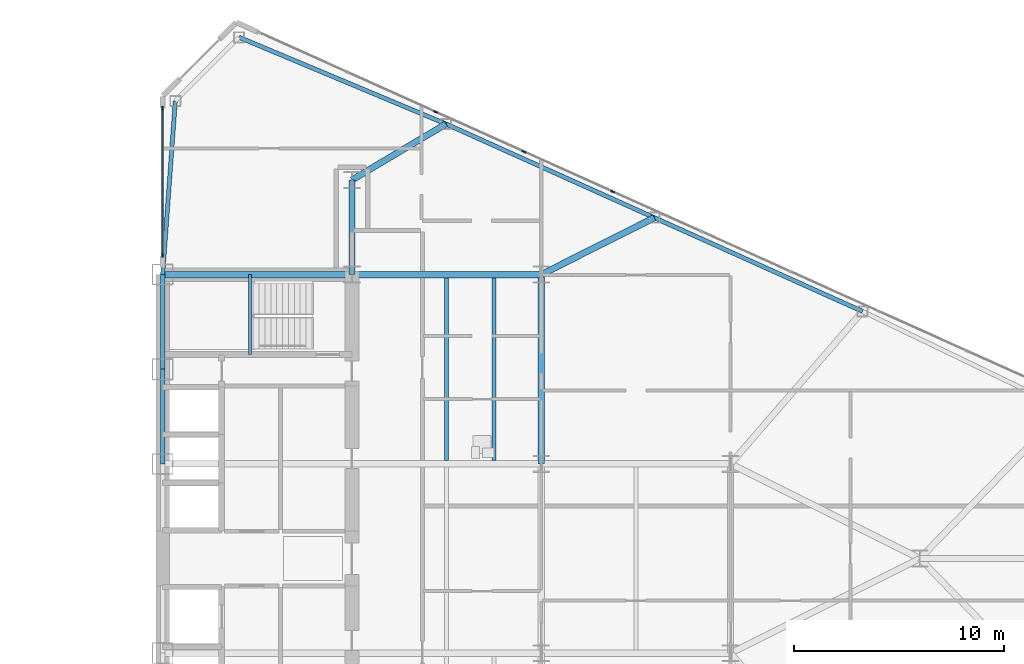
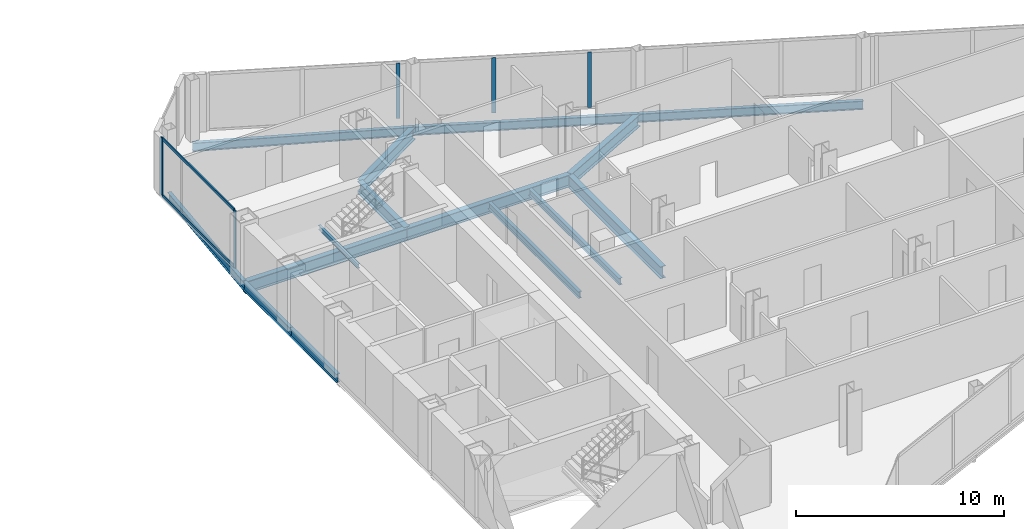
# One storey, part 13 of 27: 15 beams, 7 members, 2 elements without a shape of their own.
"""IFC4 building model written with IfcOpenShell, lengths in metres."""

from ifc_helpers import new_model, si_unit, direction, frame, origin, origin_2d, place, context, subcontext, project, spatial, rectangle, i_section, extrude, source, transform, mapped, material, layer, layer_set, material_profile, profile_set, type_object, type_shapes, element, aggregate, save


model = new_model("IFC4")

# Units and contexts
model_context = context("Model", 3, precision=1e-05, world=origin(), true_north=direction((0.0, 1.0)))
body_context = subcontext(model_context, "Body", "Model", "MODEL_VIEW")
ifc_project = project(units=[si_unit("LENGTHUNIT", "METRE"), si_unit("AREAUNIT", "SQUARE_METRE"), si_unit("VOLUMEUNIT", "CUBIC_METRE"), si_unit("PLANEANGLEUNIT", "RADIAN"), si_unit("MASSUNIT", "GRAM", prefix="KILO")], contexts=[model_context])

# Site, building, storey
site_placement = place(None, origin())
site = spatial("IfcSite", under=ifc_project, at=site_placement, CompositionType="ELEMENT")
building_placement = place(site_placement, origin())
building = spatial("IfcBuilding", under=site, at=building_placement, Name="Seokmaru Belvedere", CompositionType="ELEMENT")
storey_placement = place(building_placement, frame((0.0, 0.0, 106.800048828125)))
storey = spatial("IfcBuildingStorey", under=building, at=storey_placement, Name="L28", CompositionType="ELEMENT", Elevation=106.800048828125)

# Beams
ifc_material_1 = material(Name="Steel SM355 (355 MPa)", Category="steel")
ifc_material_profile_1 = material_profile(ifc_material_1, i_section(OverallWidth=0.199951171875, OverallDepth=0.5, WebThickness=0.010009765625, FlangeThickness=0.01611328125, at=origin_2d()), Name="H-500x200x10x16")
ifc_profile_set_1 = profile_set([ifc_material_profile_1], Name="Steel SM355 (355 MPa)")
beam_type_1 = type_object("IfcBeamType", Name="Perimeter Spandrel Beam H-500", PredefinedType="SPANDREL", material=ifc_profile_set_1)
shared_shape_1 = source(origin(), body_context, "Body", "SweptSolid", [
    extrude(i_section(OverallWidth=0.199951171875, OverallDepth=0.5, WebThickness=0.010009765625, FlangeThickness=0.01611328125, at=origin_2d()), origin(), (0.0, 0.0, 1.0), 4.5),
])
for number, where, z_axis, x_axis, name in (
    (1, (27.5, 4.5, -0.469970703125), (0.0, 1.0, 0.0), (-1.0, 0.0, 0.0), "L28 E Portal Spine Spandrel 4"),
    (2, (27.5, 9.0, -0.469970703125), (0.0, 1.0, 0.0), (-1.0, 0.0, 0.0), "L28 E Portal Spine Spandrel 5"),
):
    element("IfcBeam", number, at=place(storey_placement, frame(where, z_axis=z_axis, x_axis=x_axis)), inside=storey, type_object=beam_type_1, Name=name, PredefinedType="SPANDREL", context=body_context, shape_type="MappedRepresentation", body=[
        mapped(shared_shape_1, transform((0.0, 0.0, 0.0), scale=1.0)),
    ])
ifc_material_profile_2 = material_profile(ifc_material_1, i_section(OverallWidth=0.300048828125, OverallDepth=0.699951171875, WebThickness=0.012939453125, FlangeThickness=0.02392578125, at=origin_2d()), Name="H-700x300x13x24")
ifc_profile_set_2 = profile_set([ifc_material_profile_2], Name="Steel SM355 (355 MPa)")
beam_type_2 = type_object("IfcBeamType", Name="Primary Floor Girder H-700", PredefinedType="BEAM", material=ifc_profile_set_2)
shared_shape_2 = source(origin(), body_context, "Body", "SweptSolid", [
    extrude(i_section(OverallWidth=0.300048828125, OverallDepth=0.699951171875, WebThickness=0.012939453125, FlangeThickness=0.02392578125, at=origin_2d()), origin(), (0.0, 0.0, 1.0), 4.5),
])
beam_1_placement = place(storey_placement, frame((36.5, 13.5, -0.570068359375), z_axis=(0.0, 1.0, 0.0), x_axis=(-1.0, 0.0, 0.0)))
element("IfcBeam", 3, at=beam_1_placement, inside=storey, type_object=beam_type_2, Name="L28 E Core Shoulder Girder N", PredefinedType="BEAM", context=body_context, shape_type="MappedRepresentation", body=[
    mapped(shared_shape_2, transform((0.0, 0.0, 0.0), scale=1.0)),
])
shared_shape_3 = source(origin(), body_context, "Body", "SweptSolid", [
    extrude(i_section(OverallWidth=0.300048828125, OverallDepth=0.699951171875, WebThickness=0.012939453125, FlangeThickness=0.02392578125, at=origin_2d()), origin(), (0.0, 0.0, 1.0), 9.0),
])
for number, where, z_axis, x_axis, name in (
    (4, (45.5, 4.5, -0.570068359375), (0.0, 1.0, 0.0), (-1.0, 0.0, 0.0), "L28 E Interior Grid Girder 3"),
    (5, (27.5, 13.5, -0.570068359375), (1.0, 0.0, 0.0), (0.0, 1.0, 0.0), "L28 E Core Tie Girder 4"),
    (6, (36.5, 13.5, -0.570068359375), (1.0, 0.0, 0.0), (0.0, 1.0, 0.0), "L28 E Wing Primary Girder 4"),
):
    element("IfcBeam", number, at=place(storey_placement, frame(where, z_axis=z_axis, x_axis=x_axis)), inside=storey, type_object=beam_type_2, Name=name, PredefinedType="BEAM", context=body_context, shape_type="MappedRepresentation", body=[
        mapped(shared_shape_3, transform((0.0, 0.0, 0.0), scale=1.0)),
    ])
ifc_material_profile_3 = material_profile(ifc_material_1, i_section(OverallWidth=0.18505859375, OverallDepth=0.389892578125, WebThickness=0.008056640625, FlangeThickness=0.011962890625, at=origin_2d()), Name="H-390x185x8x12")
ifc_profile_set_3 = profile_set([ifc_material_profile_3], Name="Steel SM355 (355 MPa)")
beam_type_3 = type_object("IfcBeamType", Name="Secondary Floor Joist H-350", PredefinedType="JOIST", material=ifc_profile_set_3)
shared_shape_4 = source(origin(), body_context, "Body", "SweptSolid", [
    extrude(i_section(OverallWidth=0.18505859375, OverallDepth=0.389892578125, WebThickness=0.008056640625, FlangeThickness=0.011962890625, at=origin_2d()), origin(), (0.0, 0.0, 1.0), 8.68994140625),
])
type_shapes(beam_type_3, [shared_shape_4])
for number, where, z_axis, x_axis, name in (
    (7, (43.25, 4.655029296875, -0.4150390625), (0.0, 1.0, 0.0), (-1.0, 0.0, 0.0), "L28 E Wing Inner Secondary Joist 2"),
    (8, (41.0, 4.655029296875, -0.4150390625), (0.0, 1.0, 0.0), (-1.0, 0.0, 0.0), "L28 E Secondary Floor Joist 3"),
):
    element("IfcBeam", number, at=place(storey_placement, frame(where, z_axis=z_axis, x_axis=x_axis)), inside=storey, type_object=beam_type_3, Name=name, PredefinedType="JOIST", context=body_context, shape_type="MappedRepresentation", body=[
        mapped(shared_shape_4, transform((0.0, 0.0, 0.0), scale=1.0)),
    ])
shared_shape_5 = source(origin(), body_context, "Body", "SweptSolid", [
    extrude(i_section(OverallWidth=0.199951171875, OverallDepth=0.5, WebThickness=0.010009765625, FlangeThickness=0.01611328125, at=origin_2d()), origin(), (0.0, 0.0, 1.0), 10.66943359375),
])
beam_2_placement = place(storey_placement, frame((31.13134765625, 24.782958984375, -0.469970703125), z_axis=(0.922375393128, -0.386294750355, 0.0), x_axis=(0.386294750355, 0.922375393128, 0.0)))
element("IfcBeam", 9, at=beam_2_placement, inside=storey, type_object=beam_type_1, Name="L28 E Faceted Flank Spandrel N-1", PredefinedType="SPANDREL", context=body_context, shape_type="MappedRepresentation", body=[
    mapped(shared_shape_5, transform((0.0, 0.0, 0.0), scale=1.0)),
])
shared_shape_6 = source(origin(), body_context, "Body", "SweptSolid", [
    extrude(i_section(OverallWidth=0.199951171875, OverallDepth=0.5, WebThickness=0.010009765625, FlangeThickness=0.01611328125, at=origin_2d()), origin(), (0.0, 0.0, 1.0), 10.85888671875),
])
for number, where, z_axis, x_axis, name in (
    (10, (40.97265625, 20.661376953125, -0.469970703125), (0.911921505175, -0.410364677329, 0.0), (0.410364677329, 0.911921505175, 0.0), "L28 E Faceted Flank Spandrel N-2"),
    (11, (50.875, 16.205322265625, -0.469970703125), (0.911925291223, -0.410356263785, 0.0), (0.410356263785, 0.911925291223, 0.0), "L28 E Faceted Flank Spandrel N-3"),
):
    element("IfcBeam", number, at=place(storey_placement, frame(where, z_axis=z_axis, x_axis=x_axis)), inside=storey, type_object=beam_type_1, Name=name, PredefinedType="SPANDREL", context=body_context, shape_type="MappedRepresentation", body=[
        mapped(shared_shape_6, transform((0.0, 0.0, 0.0), scale=1.0)),
    ])
shared_shape_7 = source(origin(), body_context, "Body", "SweptSolid", [
    extrude(i_section(OverallWidth=0.199951171875, OverallDepth=0.5, WebThickness=0.010009765625, FlangeThickness=0.01611328125, at=origin_2d()), origin(), (0.0, 0.0, 1.0), 8.273193359375),
])
type_shapes(beam_type_1, [shared_shape_1, shared_shape_5, shared_shape_6, shared_shape_7])
beam_3_placement = place(storey_placement, frame((28.10009765625, 21.75146484375, -0.469970703125), z_axis=(-0.072534628348, -0.99736589459, 0.0), x_axis=(0.99736589459, -0.072534628348, 0.0)))
element("IfcBeam", 12, at=beam_3_placement, inside=storey, type_object=beam_type_1, Name="L28 E Shoulder Spine Spandrel N", PredefinedType="SPANDREL", context=body_context, shape_type="MappedRepresentation", body=[
    mapped(shared_shape_7, transform((0.0, 0.0, 0.0), scale=1.0)),
])
shared_shape_8 = source(origin(), body_context, "Body", "SweptSolid", [
    extrude(i_section(OverallWidth=0.300048828125, OverallDepth=0.699951171875, WebThickness=0.012939453125, FlangeThickness=0.02392578125, at=origin_2d()), origin(), (0.0, 0.0, 1.0), 5.20458984375),
])
beam_4_placement = place(storey_placement, frame((40.97265625, 20.661376953125, -0.570068359375), z_axis=(-0.859370434188, -0.511353553662, 0.0), x_axis=(0.511353553662, -0.859370434188, 0.0)))
element("IfcBeam", 13, at=beam_4_placement, inside=storey, type_object=beam_type_2, Name="L28 E Flank Radial Floor Girder N-1", PredefinedType="BEAM", context=body_context, shape_type="MappedRepresentation", body=[
    mapped(shared_shape_8, transform((0.0, 0.0, 0.0), scale=1.0)),
])
shared_shape_9 = source(origin(), body_context, "Body", "SweptSolid", [
    extrude(i_section(OverallWidth=0.300048828125, OverallDepth=0.699951171875, WebThickness=0.012939453125, FlangeThickness=0.02392578125, at=origin_2d()), origin(), (0.0, 0.0, 1.0), 6.017333984375),
])
type_shapes(beam_type_2, [shared_shape_2, shared_shape_3, shared_shape_8, shared_shape_9])
beam_5_placement = place(storey_placement, frame((50.875, 16.205322265625, -0.570068359375), z_axis=(-0.893239341975, -0.449581447512, 0.0), x_axis=(0.449581447512, -0.893239341975, 0.0)))
element("IfcBeam", 14, at=beam_5_placement, inside=storey, type_object=beam_type_2, Name="L28 E Flank Radial Floor Girder N-2", PredefinedType="BEAM", context=body_context, shape_type="MappedRepresentation", body=[
    mapped(shared_shape_9, transform((0.0, 0.0, 0.0), scale=1.0)),
])

# Curtain wall, members
ifc_material_2 = material(Name="Bronze Triple Insulating Glass", Category="glass")
ifc_layer = layer(ifc_material_2, 0.195068359375)
ifc_layer_set = layer_set([ifc_layer], Name="Bronze Triple Insulating Glass")
curtain_wall_type = type_object("IfcCurtainWallType", Name="Lower-Mid Tapered Curtain Wall System CW-3", PredefinedType="NOTDEFINED", material=ifc_layer_set)
curtain_wall_1_placement = place(storey_placement, origin())
curtain_wall_1 = element("IfcCurtainWall", 15, at=curtain_wall_1_placement, inside=storey, type_object=curtain_wall_type, Name="L28 Curtain Wall ESP_2", PredefinedType="NOTDEFINED")
ifc_material_3 = material(Name="Anodised Bronze Aluminium", Category="aluminium")
ifc_material_profile_4 = material_profile(ifc_material_3, rectangle(XDim=0.070068359375, YDim=0.195068359375, at=origin_2d()), Name="CW-M-70x195")
ifc_profile_set_4 = profile_set([ifc_material_profile_4], Name="Anodised Bronze Aluminium")
member_type_1 = type_object("IfcMemberType", Name="Bronze Unitised Mullion 70x195", PredefinedType="MULLION", material=ifc_profile_set_4)
shared_shape_10 = source(origin(), body_context, "Body", "SweptSolid", [
    extrude(rectangle(XDim=0.070068359375, YDim=0.195068359375, at=origin_2d()), origin(), (0.0, 0.0, 1.0), 3.3798828125),
])
member_1_placement = place(storey_placement, frame((27.5, 21.39501953125, 0.0), z_axis=(0.0, 0.0, 1.0), x_axis=(1.0, 0.0, 0.0)))
member_1 = element("IfcMember", 16, at=member_1_placement, type_object=member_type_1, Name="CW:L28:ESP_2 Mullion 1", PredefinedType="MULLION", context=body_context, shape_type="MappedRepresentation", body=[
    mapped(shared_shape_10, transform((0.0, 0.0, 0.0), scale=1.0)),
])
member_2_placement = place(storey_placement, frame((27.5, 14.4150390625, 0.0), z_axis=(0.0, 0.0, 1.0), x_axis=(1.0, 0.0, 0.0)))
member_2 = element("IfcMember", 17, at=member_2_placement, type_object=member_type_1, Name="CW:L28:ESP_2 Mullion 2", PredefinedType="MULLION", context=body_context, shape_type="MappedRepresentation", body=[
    mapped(shared_shape_10, transform((0.0, 0.0, 0.0), scale=1.0)),
])
ifc_material_profile_5 = material_profile(ifc_material_3, rectangle(XDim=0.070068359375, YDim=0.1650390625, at=origin_2d()), Name="CW-T-70x165")
ifc_profile_set_5 = profile_set([ifc_material_profile_5], Name="Anodised Bronze Aluminium")
member_type_2 = type_object("IfcMemberType", Name="Bronze Unitised Transom 70x165", PredefinedType="USERDEFINED", material=ifc_profile_set_5)
shared_shape_11 = source(origin(), body_context, "Body", "SweptSolid", [
    extrude(rectangle(XDim=0.070068359375, YDim=0.1650390625, at=origin_2d()), origin(), (0.0, 0.0, 1.0), 6.91015625),
])
type_shapes(member_type_2, [shared_shape_11])
member_3_placement = place(storey_placement, frame((27.5, 21.360107421875, 0.034912109375), z_axis=(0.0, -1.0, 0.0), x_axis=(1.0, 0.0, 0.0)))
member_3 = element("IfcMember", 18, at=member_3_placement, type_object=member_type_2, Name="CW:L28:ESP_2 Continuous Transom 1", ObjectType="TRANSOM", PredefinedType="USERDEFINED", context=body_context, shape_type="MappedRepresentation", body=[
    mapped(shared_shape_11, transform((0.0, 0.0, 0.0), scale=1.0)),
])
member_4_placement = place(storey_placement, frame((27.5, 21.360107421875, 3.344970703125), z_axis=(0.0, -1.0, 0.0), x_axis=(1.0, 0.0, 0.0)))
member_4 = element("IfcMember", 19, at=member_4_placement, type_object=member_type_2, Name="CW:L28:ESP_2 Continuous Transom 2", ObjectType="TRANSOM", PredefinedType="USERDEFINED", context=body_context, shape_type="MappedRepresentation", body=[
    mapped(shared_shape_11, transform((0.0, 0.0, 0.0), scale=1.0)),
])
aggregate(curtain_wall_1, [member_1, member_2, member_3, member_4])

curtain_wall_2_placement = place(storey_placement, origin())
curtain_wall_2 = element("IfcCurtainWall", 20, at=curtain_wall_2_placement, inside=storey, type_object=curtain_wall_type, Name="L28 Curtain Wall EF3", PredefinedType="NOTDEFINED")
shared_shape_12 = source(origin(), body_context, "Body", "SweptSolid", [
    extrude(rectangle(XDim=0.070068359375, YDim=0.195068359375, at=origin_2d()), origin(), (0.0, 0.0, 1.0), 3.239990234375),
])
type_shapes(member_type_1, [shared_shape_10, shared_shape_12])
member_5_placement = place(storey_placement, frame((48.894287109375, 17.447509765625, 0.070068359375), z_axis=(0.0, 0.0, 1.0), x_axis=(-0.41036554765, -0.91192111353, 0.0)))
member_5 = element("IfcMember", 21, at=member_5_placement, type_object=member_type_1, Name="CW:L28:EF3 Mullion 6", PredefinedType="MULLION", context=body_context, shape_type="MappedRepresentation", body=[
    mapped(shared_shape_12, transform((0.0, 0.0, 0.0), scale=1.0)),
])
member_6_placement = place(storey_placement, frame((44.682861328125, 19.3427734375, 0.070068359375), z_axis=(0.0, 0.0, 1.0), x_axis=(-0.41036554765, -0.91192111353, 0.0)))
member_6 = element("IfcMember", 22, at=member_6_placement, type_object=member_type_1, Name="CW:L28:EF3 Mullion 7", PredefinedType="MULLION", context=body_context, shape_type="MappedRepresentation", body=[
    mapped(shared_shape_12, transform((0.0, 0.0, 0.0), scale=1.0)),
])
member_7_placement = place(storey_placement, frame((40.471435546875, 21.23779296875, 0.070068359375), z_axis=(0.0, 0.0, 1.0), x_axis=(-0.41036554765, -0.91192111353, 0.0)))
member_7 = element("IfcMember", 23, at=member_7_placement, type_object=member_type_1, Name="CW:L28:EF3 Mullion 8", PredefinedType="MULLION", context=body_context, shape_type="MappedRepresentation", body=[
    mapped(shared_shape_12, transform((0.0, 0.0, 0.0), scale=1.0)),
])
aggregate(curtain_wall_2, [member_5, member_6, member_7])

# Beam
ifc_material_profile_6 = material_profile(ifc_material_1, i_section(OverallWidth=0.125, OverallDepth=0.25, WebThickness=0.006103515625, FlangeThickness=0.009033203125, at=origin_2d()), Name="H-250x125x6x9")
ifc_profile_set_6 = profile_set([ifc_material_profile_6], Name="Steel SM355 (355 MPa)")
beam_type_4 = type_object("IfcBeamType", Name="Stair Mid-Landing Support Beam H-250", PredefinedType="JOIST", material=ifc_profile_set_6)
shared_shape_13 = source(origin(), body_context, "Body", "SweptSolid", [
    extrude(i_section(OverallWidth=0.125, OverallDepth=0.25, WebThickness=0.006103515625, FlangeThickness=0.009033203125, at=origin_2d()), origin(), (0.0, 0.0, 1.0), 3.800048828125),
])
type_shapes(beam_type_4, [shared_shape_13])
beam_6_placement = place(storey_placement, frame((31.64990234375, 9.699951171875, 1.474853515625), z_axis=(0.0, 1.0, 0.0), x_axis=(-1.0, 0.0, 0.0)))
element("IfcBeam", 24, at=beam_6_placement, inside=storey, type_object=beam_type_4, Name="L28 Stair ST-E2 Mid-Landing Support Beam 1", PredefinedType="JOIST", context=body_context, shape_type="MappedRepresentation", body=[
    mapped(shared_shape_13, transform((0.0, 0.0, 0.0), scale=1.0)),
])

save(model, "model.ifc")
